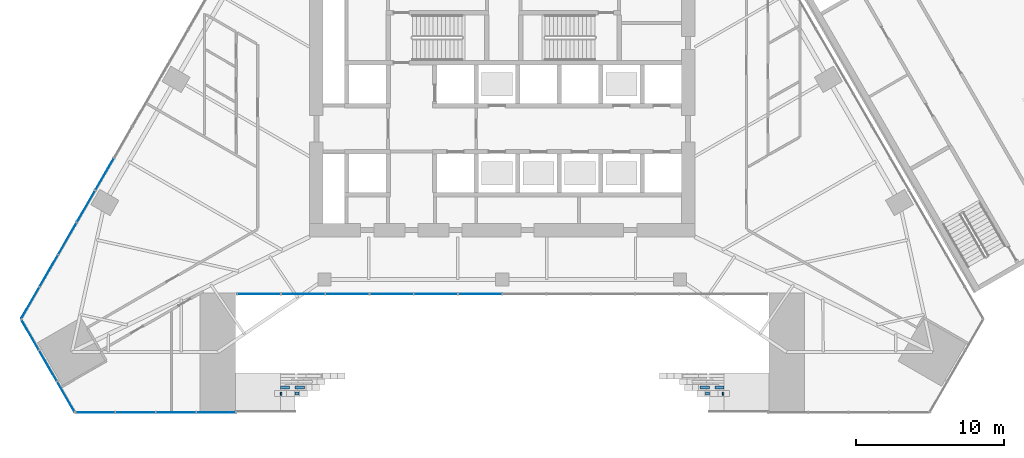
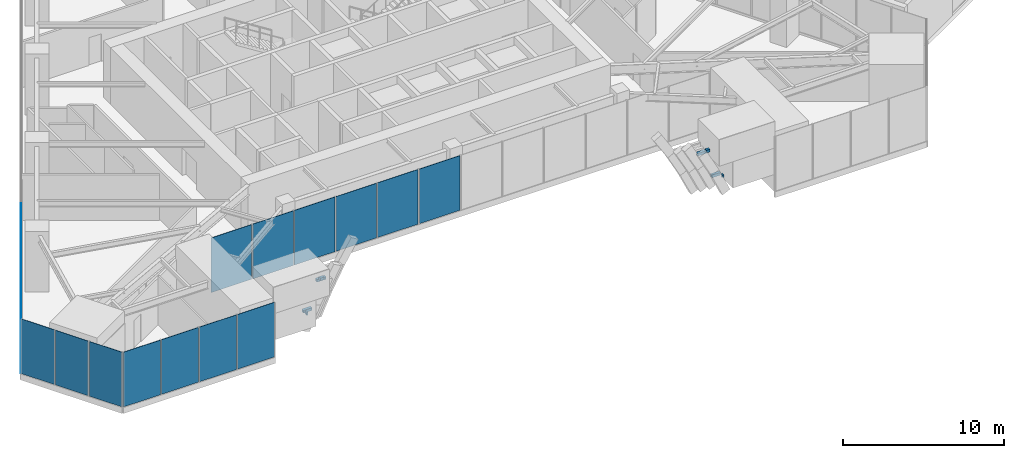
# One storey, part 14 of 30: 18 plates, 8 beams, 4 elements without a shape of their own.
"""IFC4 building model written with IfcOpenShell, lengths in metres."""

from ifc_helpers import new_model, si_unit, direction, frame, origin, origin_2d, place, context, subcontext, project, spatial, polyline, rectangle, outline, extrude, material, layer, layer_set, material_profile, profile_set, type_object, element, aggregate, save


model = new_model("IFC4")

# Units and contexts
model_context = context("Model", 3, precision=1e-05, world=origin(), true_north=direction((0.0, 1.0)))
body_context = subcontext(model_context, "Body", "Model", "MODEL_VIEW")
ifc_project = project(units=[si_unit("LENGTHUNIT", "METRE"), si_unit("AREAUNIT", "SQUARE_METRE"), si_unit("VOLUMEUNIT", "CUBIC_METRE"), si_unit("PLANEANGLEUNIT", "RADIAN"), si_unit("MASSUNIT", "GRAM", prefix="KILO")], contexts=[model_context])

# Site, building, storey
site_placement = place(None, origin())
site = spatial("IfcSite", under=ifc_project, at=site_placement, CompositionType="ELEMENT")
building_placement = place(site_placement, origin())
building = spatial("IfcBuilding", under=site, at=building_placement, Name="Firuza Gate Tower and Library", CompositionType="ELEMENT")
storey_placement = place(building_placement, frame((0.0, 0.0, 12.60009765625)))
storey = spatial("IfcBuildingStorey", under=building, at=storey_placement, Name="L02", CompositionType="ELEMENT", Elevation=12.60009765625)

# Beams
ifc_material_1 = material(Name="Concrete C60/75", Category="concrete")
ifc_material_profile = material_profile(ifc_material_1, rectangle(XDim=0.199951171875, YDim=0.199951171875, at=origin_2d()))
ifc_profile_set = profile_set([ifc_material_profile], Name="Concrete C60/75")
beam_type = type_object("IfcBeamType", Name="Arch rib bracket 200x200", PredefinedType="BEAM", material=ifc_profile_set)
beam_1_placement = place(storey_placement, frame((60.03125, 55.415283203125, 1.6240234375), z_axis=(1.0, 0.0, 0.0), x_axis=(0.0, 1.0, 0.0)))
element("IfcBeam", 1, at=beam_1_placement, inside=storey, type_object=beam_type, Name="Arch rib bracket 1.8", PredefinedType="BEAM", context=body_context, shape_type="SweptSolid", body=[
    extrude(rectangle(XDim=0.199951171875, YDim=0.199951171875, at=origin_2d()), origin(), (0.0, 0.0, 1.0), 0.104248046875),
])
for number, where, z_axis, x_axis, name in (
    (2, (61.0146484375, 55.415283203125, 3.90966796875), (1.0, 0.0, 0.0), (0.0, 1.0, 0.0), "Arch rib bracket 1.10"),
    (3, (88.9853515625, 55.415283203125, 3.90966796875), (-1.0, 0.0, 0.0), (0.0, -1.0, 0.0), "Arch rib bracket 1.29"),
):
    element("IfcBeam", number, at=place(storey_placement, frame(where, z_axis=z_axis, x_axis=x_axis)), inside=storey, type_object=beam_type, Name=name, PredefinedType="BEAM", context=body_context, shape_type="SweptSolid", body=[
        extrude(rectangle(XDim=0.199951171875, YDim=0.199951171875, at=origin_2d()), origin(), (0.0, 0.0, 1.0), 0.25927734375),
    ])
beam_2_placement = place(storey_placement, frame((89.96875, 55.415283203125, 1.6240234375), z_axis=(-1.0, 0.0, 0.0), x_axis=(0.0, -1.0, 0.0)))
element("IfcBeam", 4, at=beam_2_placement, inside=storey, type_object=beam_type, Name="Arch rib bracket 1.31", PredefinedType="BEAM", context=body_context, shape_type="SweptSolid", body=[
    extrude(rectangle(XDim=0.199951171875, YDim=0.199951171875, at=origin_2d()), origin(), (0.0, 0.0, 1.0), 0.104248046875),
])
beam_3_placement = place(storey_placement, frame((60.03125, 55.8154296875, 1.554443359375), z_axis=(1.0, 0.0, 0.0), x_axis=(0.0, 1.0, 0.0)))
element("IfcBeam", 5, at=beam_3_placement, inside=storey, type_object=beam_type, Name="Arch rib bracket 2.8", PredefinedType="BEAM", context=body_context, shape_type="SweptSolid", body=[
    extrude(rectangle(XDim=0.199951171875, YDim=0.199951171875, at=origin_2d()), origin(), (0.0, 0.0, 1.0), 0.611083984375),
])
for number, where, z_axis, x_axis, name in (
    (6, (61.0146484375, 55.8154296875, 3.56103515625), (1.0, 0.0, 0.0), (0.0, 1.0, 0.0), "Arch rib bracket 2.9"),
    (7, (88.9853515625, 55.8154296875, 3.56103515625), (-1.0, 0.0, 0.0), (0.0, -1.0, 0.0), "Arch rib bracket 2.28"),
):
    element("IfcBeam", number, at=place(storey_placement, frame(where, z_axis=z_axis, x_axis=x_axis)), inside=storey, type_object=beam_type, Name=name, PredefinedType="BEAM", context=body_context, shape_type="SweptSolid", body=[
        extrude(rectangle(XDim=0.199951171875, YDim=0.199951171875, at=origin_2d()), origin(), (0.0, 0.0, 1.0), 0.641845703125),
    ])
beam_4_placement = place(storey_placement, frame((89.96875, 55.8154296875, 1.554443359375), z_axis=(-1.0, 0.0, 0.0), x_axis=(0.0, -1.0, 0.0)))
element("IfcBeam", 8, at=beam_4_placement, inside=storey, type_object=beam_type, Name="Arch rib bracket 2.29", PredefinedType="BEAM", context=body_context, shape_type="SweptSolid", body=[
    extrude(rectangle(XDim=0.199951171875, YDim=0.199951171875, at=origin_2d()), origin(), (0.0, 0.0, 1.0), 0.611083984375),
])

# Curtain wall, plates
ifc_material_2 = material(Name="Aluminium 6063-T6", Category="aluminium")
ifc_layer_1 = layer(ifc_material_2, 0.14990234375)
ifc_layer_set_1 = layer_set([ifc_layer_1], Name="Stick curtain wall, podium")
curtain_wall_type_1 = type_object("IfcCurtainWallType", Name="Stick curtain wall, podium", PredefinedType="NOTDEFINED", material=ifc_layer_set_1)
placement = place(storey_placement, origin())
curtain_wall_1 = element("IfcCurtainWall", 9, at=placement, inside=storey, type_object=curtain_wall_type_1, Name="CW5 L02 S", PredefinedType="NOTDEFINED")
ifc_material_3 = material(Name="Fritted glass", Category="glass")
ifc_layer_2 = layer(ifc_material_3, 0.030029296875)
ifc_layer_set_2 = layer_set([ifc_layer_2], Name="Clear glass unit, podium")
plate_type = type_object("IfcPlateType", Name="Clear glass unit, podium", PredefinedType="CURTAIN_PANEL", material=ifc_layer_set_2)
plate_1_placement = place(storey_placement, frame((46.19677734375, 54.12548828125, 0.14990234375), z_axis=(0.0, -1.0, 0.0), x_axis=(1.0, 0.0, 0.0)))
plate_1 = element("IfcPlate", 10, at=plate_1_placement, type_object=plate_type, Name="Glass unit", PredefinedType="CURTAIN_PANEL", context=body_context, shape_type="SweptSolid", body=[
    extrude(outline(polyline([(0.0, 0.0), (2.6494140625, 0.0), (2.6494140625, 4.14990234375), (0.0, 4.14990234375), (0.0, 0.0)])), origin(), (0.0, 0.0, -1.0), 0.030029296875),
])
plate_2_placement = place(storey_placement, frame((48.92626953125, 54.12548828125, 0.14990234375), z_axis=(0.0, -1.0, 0.0), x_axis=(1.0, 0.0, 0.0)))
plate_2 = element("IfcPlate", 11, at=plate_2_placement, type_object=plate_type, Name="Glass unit", PredefinedType="CURTAIN_PANEL", context=body_context, shape_type="SweptSolid", body=[
    extrude(outline(polyline([(0.0, 0.0), (2.649658203125, 0.0), (2.649658203125, 4.14990234375), (0.0, 4.14990234375), (0.0, 0.0)])), origin(), (0.0, 0.0, -1.0), 0.030029296875),
])
plate_3_placement = place(storey_placement, frame((51.65576171875, 54.12548828125, 0.14990234375), z_axis=(0.0, -1.0, 0.0), x_axis=(1.0, 0.0, 0.0)))
plate_3 = element("IfcPlate", 12, at=plate_3_placement, type_object=plate_type, Name="Glass unit", PredefinedType="CURTAIN_PANEL", context=body_context, shape_type="SweptSolid", body=[
    extrude(outline(polyline([(0.0, 0.0), (2.649658203125, 0.0), (2.649658203125, 4.14990234375), (0.0, 4.14990234375), (0.0, 0.0)])), origin(), (0.0, 0.0, -1.0), 0.030029296875),
])
plate_4_placement = place(storey_placement, frame((54.385498046875, 54.12548828125, 0.14990234375), z_axis=(0.0, -1.0, 0.0), x_axis=(1.0, 0.0, 0.0)))
plate_4 = element("IfcPlate", 13, at=plate_4_placement, type_object=plate_type, Name="Glass unit", PredefinedType="CURTAIN_PANEL", context=body_context, shape_type="SweptSolid", body=[
    extrude(outline(polyline([(0.0, 0.0), (2.6494140625, 0.0), (2.6494140625, 4.14990234375), (0.0, 4.14990234375), (0.0, 0.0)])), origin(), (0.0, 0.0, -1.0), 0.030029296875),
])
aggregate(curtain_wall_1, [plate_1, plate_2, plate_3, plate_4])

ifc_material_4 = material(Name="Aluminium 6063-T6", Category="aluminium")
ifc_layer_3 = layer(ifc_material_4, 0.14990234375)
ifc_layer_set_3 = layer_set([ifc_layer_3], Name="Stick curtain wall, gate lobby")
curtain_wall_type_2 = type_object("IfcCurtainWallType", Name="Stick curtain wall, gate lobby", PredefinedType="NOTDEFINED", material=ifc_layer_set_3)
curtain_wall_2 = element("IfcCurtainWall", 14, at=placement, inside=storey, type_object=curtain_wall_type_2, Name="CW7 L02 gate lobby", PredefinedType="NOTDEFINED")
plate_5_placement = place(storey_placement, frame((57.114990234375, 62.12548828125, 0.14990234375), z_axis=(0.0, -1.0, 0.0), x_axis=(1.0, 0.0, 0.0)))
plate_5 = element("IfcPlate", 15, at=plate_5_placement, type_object=plate_type, Name="Glass unit", PredefinedType="CURTAIN_PANEL", context=body_context, shape_type="SweptSolid", body=[
    extrude(outline(polyline([(0.0, 0.0), (2.907470703125, 0.0), (2.907470703125, 4.14990234375), (0.0, 4.14990234375), (0.0, 0.0)])), origin(), (0.0, 0.0, -1.0), 0.030029296875),
])
plate_6_placement = place(storey_placement, frame((60.1025390625, 62.12548828125, 0.14990234375), z_axis=(0.0, -1.0, 0.0), x_axis=(1.0, 0.0, 0.0)))
plate_6 = element("IfcPlate", 16, at=plate_6_placement, type_object=plate_type, Name="Glass unit", PredefinedType="CURTAIN_PANEL", context=body_context, shape_type="SweptSolid", body=[
    extrude(outline(polyline([(0.0, 0.0), (2.907470703125, 0.0), (2.907470703125, 4.14990234375), (0.0, 4.14990234375), (0.0, 0.0)])), origin(), (0.0, 0.0, -1.0), 0.030029296875),
])
plate_7_placement = place(storey_placement, frame((63.090087890625, 62.12548828125, 0.14990234375), z_axis=(0.0, -1.0, 0.0), x_axis=(1.0, 0.0, 0.0)))
plate_7 = element("IfcPlate", 17, at=plate_7_placement, type_object=plate_type, Name="Glass unit", PredefinedType="CURTAIN_PANEL", context=body_context, shape_type="SweptSolid", body=[
    extrude(outline(polyline([(0.0, 0.0), (2.907470703125, 0.0), (2.907470703125, 4.14990234375), (0.0, 4.14990234375), (0.0, 0.0)])), origin(), (0.0, 0.0, -1.0), 0.030029296875),
])
plate_8_placement = place(storey_placement, frame((66.077392578125, 62.12548828125, 0.14990234375), z_axis=(0.0, -1.0, 0.0), x_axis=(1.0, 0.0, 0.0)))
plate_8 = element("IfcPlate", 18, at=plate_8_placement, type_object=plate_type, Name="Glass unit", PredefinedType="CURTAIN_PANEL", context=body_context, shape_type="SweptSolid", body=[
    extrude(outline(polyline([(0.0, 0.0), (2.90771484375, 0.0), (2.90771484375, 4.14990234375), (0.0, 4.14990234375), (0.0, 0.0)])), origin(), (0.0, 0.0, -1.0), 0.030029296875),
])
plate_9_placement = place(storey_placement, frame((69.06494140625, 62.12548828125, 0.14990234375), z_axis=(0.0, -1.0, 0.0), x_axis=(1.0, 0.0, 0.0)))
plate_9 = element("IfcPlate", 19, at=plate_9_placement, type_object=plate_type, Name="Glass unit", PredefinedType="CURTAIN_PANEL", context=body_context, shape_type="SweptSolid", body=[
    extrude(outline(polyline([(0.0, 0.0), (2.907470703125, 0.0), (2.907470703125, 4.14990234375), (0.0, 4.14990234375), (0.0, 0.0)])), origin(), (0.0, 0.0, -1.0), 0.030029296875),
])
plate_10_placement = place(storey_placement, frame((72.052490234375, 62.12548828125, 0.14990234375), z_axis=(0.0, -1.0, 0.0), x_axis=(1.0, 0.0, 0.0)))
plate_10 = element("IfcPlate", 20, at=plate_10_placement, type_object=plate_type, Name="Glass unit", PredefinedType="CURTAIN_PANEL", context=body_context, shape_type="SweptSolid", body=[
    extrude(outline(polyline([(0.0, 0.0), (2.907470703125, 0.0), (2.907470703125, 4.14990234375), (0.0, 4.14990234375), (0.0, 0.0)])), origin(), (0.0, 0.0, -1.0), 0.030029296875),
])
aggregate(curtain_wall_2, [plate_5, plate_6, plate_7, plate_8, plate_9, plate_10])

curtain_wall_3 = element("IfcCurtainWall", 21, at=placement, inside=storey, type_object=curtain_wall_type_1, Name="CW5 L02 W", PredefinedType="NOTDEFINED")
plate_11_placement = place(storey_placement, frame((48.750732421875, 71.2841796875, 0.14990234375), z_axis=(-0.86603825568, 0.499977739203, 0.0), x_axis=(-0.499977739203, -0.86603825568, 0.0)))
plate_11 = element("IfcPlate", 22, at=plate_11_placement, type_object=plate_type, Name="Glass unit", PredefinedType="CURTAIN_PANEL", context=body_context, shape_type="SweptSolid", body=[
    extrude(outline(polyline([(0.0, 0.0), (2.428330769405526, 0.0), (2.428330769405526, 4.14990234375), (0.0, 4.14990234375), (0.0, 0.0)])), origin(), (0.0, 0.0, -1.0), 0.030029296875),
])
plate_12_placement = place(storey_placement, frame((47.49658203125, 69.112060546875, 0.14990234375), z_axis=(-0.866013120021, 0.500021275498, 0.0), x_axis=(-0.500021275498, -0.866013120021, 0.0)))
plate_12 = element("IfcPlate", 23, at=plate_12_placement, type_object=plate_type, Name="Glass unit", PredefinedType="CURTAIN_PANEL", context=body_context, shape_type="SweptSolid", body=[
    extrude(outline(polyline([(0.0, 0.0), (2.428119337352694, 0.0), (2.428119337352694, 4.149902343749999), (0.0, 4.149902343749999), (0.0, 0.0)])), origin(), (0.0, 0.0, -1.0), 0.030029296875),
])
plate_13_placement = place(storey_placement, frame((46.24267578125, 66.93994140625, 0.14990234375), z_axis=(-0.866013120021, 0.500021275498, 0.0), x_axis=(-0.500021275498, -0.866013120021, 0.0)))
plate_13 = element("IfcPlate", 24, at=plate_13_placement, type_object=plate_type, Name="Glass unit", PredefinedType="CURTAIN_PANEL", context=body_context, shape_type="SweptSolid", body=[
    extrude(outline(polyline([(0.0, 0.0), (2.428119337352694, 0.0), (2.428119337352694, 4.149902343749999), (0.0, 4.149902343749999), (0.0, 0.0)])), origin(), (0.0, 0.0, -1.0), 0.030029296875),
])
plate_14_placement = place(storey_placement, frame((44.988525390625, 64.767822265625, 0.14990234375), z_axis=(-0.866013120021, 0.500021275498, 0.0), x_axis=(-0.500021275498, -0.866013120021, 0.0)))
plate_14 = element("IfcPlate", 25, at=plate_14_placement, type_object=plate_type, Name="Glass unit", PredefinedType="CURTAIN_PANEL", context=body_context, shape_type="SweptSolid", body=[
    extrude(outline(polyline([(0.0, 0.0), (2.428119337352694, 0.0), (2.428119337352694, 4.149902343749999), (0.0, 4.149902343749999), (0.0, 0.0)])), origin(), (0.0, 0.0, -1.0), 0.030029296875),
])
plate_15_placement = place(storey_placement, frame((43.734375, 62.595703125, 0.14990234375), z_axis=(-0.866056658381, 0.499945861543, 0.0), x_axis=(-0.499945861543, -0.866056658381, 0.0)))
plate_15 = element("IfcPlate", 26, at=plate_15_placement, type_object=plate_type, Name="Glass unit", PredefinedType="CURTAIN_PANEL", context=body_context, shape_type="SweptSolid", body=[
    extrude(outline(polyline([(0.0, 0.0), (2.4279972710515545, 0.0), (2.4279972710515545, 4.14990234375), (0.0, 4.14990234375), (0.0, 0.0)])), origin(), (0.0, 0.0, -1.0), 0.030029296875),
])
aggregate(curtain_wall_3, [plate_11, plate_12, plate_13, plate_14, plate_15])

curtain_wall_4 = element("IfcCurtainWall", 27, at=placement, inside=storey, type_object=curtain_wall_type_1, Name="CW5 L02 SW", PredefinedType="NOTDEFINED")
plate_16_placement = place(storey_placement, frame((42.5205078125, 60.40869140625, 0.14990234375), z_axis=(-0.866047116916, -0.499962389866, 0.0), x_axis=(0.499962389866, -0.866047116916, 0.0)))
plate_16 = element("IfcPlate", 28, at=plate_16_placement, type_object=plate_type, Name="Glass unit", PredefinedType="CURTAIN_PANEL", context=body_context, shape_type="SweptSolid", body=[
    extrude(outline(polyline([(0.0, 0.0), (2.3488094905771977, 0.0), (2.3488094905771977, 4.149902343750001), (0.0, 4.149902343750001), (0.0, 0.0)])), origin(), (0.0, 0.0, -1.0), 0.030029296875),
])
plate_17_placement = place(storey_placement, frame((43.73486328125, 58.30517578125, 0.14990234375), z_axis=(-0.866047116916, -0.499962389866, 0.0), x_axis=(0.499962389866, -0.866047116916, 0.0)))
plate_17 = element("IfcPlate", 29, at=plate_17_placement, type_object=plate_type, Name="Glass unit", PredefinedType="CURTAIN_PANEL", context=body_context, shape_type="SweptSolid", body=[
    extrude(outline(polyline([(0.0, 0.0), (2.3488094905771977, 0.0), (2.3488094905771977, 4.149902343750001), (0.0, 4.149902343750001), (0.0, 0.0)])), origin(), (0.0, 0.0, -1.0), 0.030029296875),
])
plate_18_placement = place(storey_placement, frame((44.94921875, 56.20166015625, 0.14990234375), z_axis=(-0.866002109674, -0.500040344412, 0.0), x_axis=(0.500040344412, -0.866002109674, 0.0)))
plate_18 = element("IfcPlate", 30, at=plate_18_placement, type_object=plate_type, Name="Glass unit", PredefinedType="CURTAIN_PANEL", context=body_context, shape_type="SweptSolid", body=[
    extrude(outline(polyline([(0.0, 0.0), (2.348931561223719, 0.0), (2.348931561223719, 4.14990234375), (0.0, 4.14990234375), (0.0, 0.0)])), origin(), (0.0, 0.0, -1.0), 0.030029296875),
])
aggregate(curtain_wall_4, [plate_16, plate_17, plate_18])

save(model, "model.ifc")
